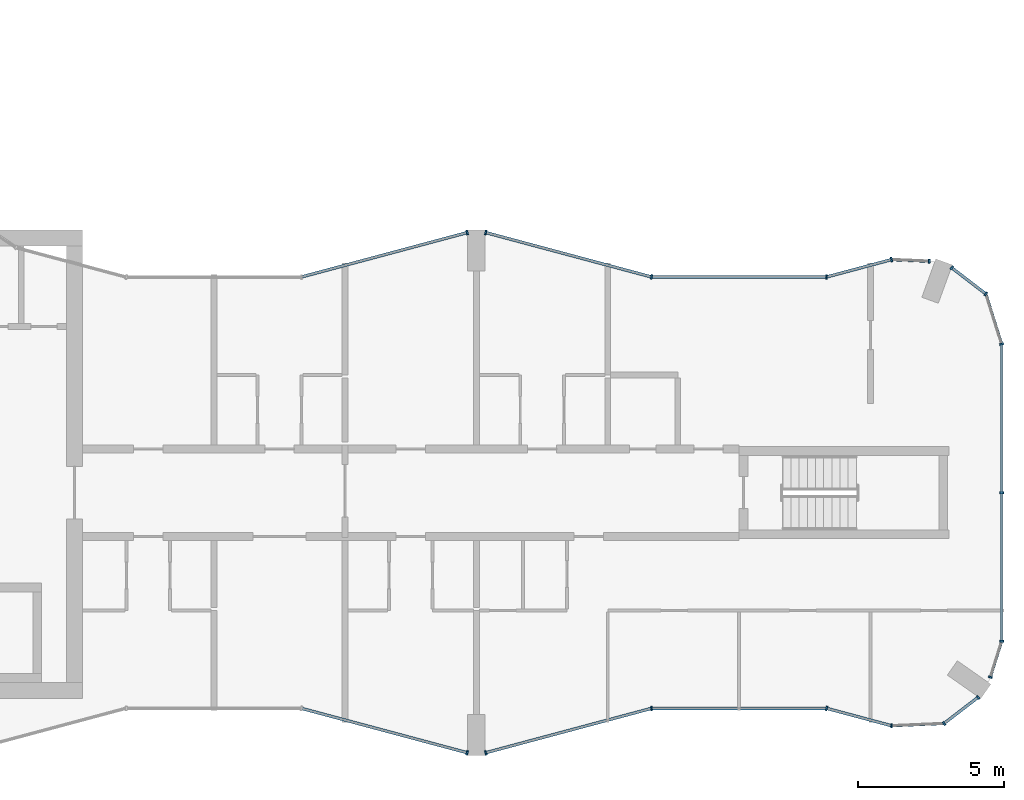
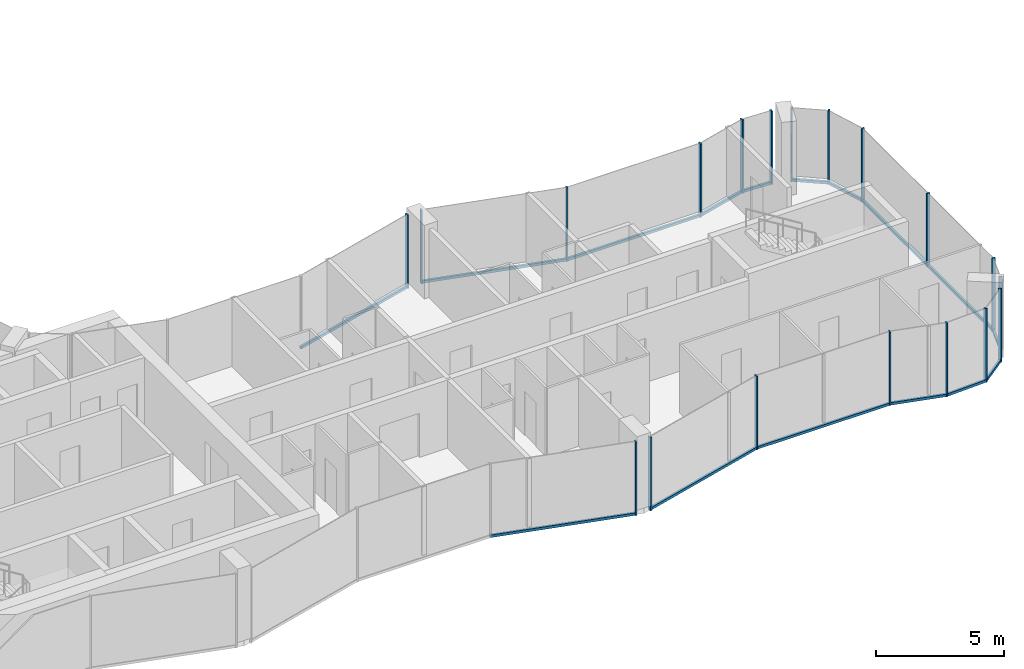
# One storey, part 6 of 15: 34 members, 15 elements without a shape of their own.
"""IFC4 building model written with IfcOpenShell, lengths in metres."""

from ifc_helpers import new_model, si_unit, direction, frame, origin, origin_2d, place, context, subcontext, project, spatial, rectangle, extrude, material, layer, layer_set, material_profile, profile_set, type_object, element, aggregate, save


model = new_model("IFC4")

# Units and contexts
model_context = context("Model", 3, precision=1e-05, world=origin(), true_north=direction((0.0, 1.0)))
body_context = subcontext(model_context, "Body", "Model", "MODEL_VIEW")
ifc_project = project(units=[si_unit("LENGTHUNIT", "METRE"), si_unit("AREAUNIT", "SQUARE_METRE"), si_unit("VOLUMEUNIT", "CUBIC_METRE"), si_unit("PLANEANGLEUNIT", "RADIAN"), si_unit("MASSUNIT", "GRAM", prefix="KILO")], contexts=[model_context])

# Site, building, storey
site_placement = place(None, origin())
site = spatial("IfcSite", under=ifc_project, at=site_placement, CompositionType="ELEMENT")
building_placement = place(site_placement, origin())
building = spatial("IfcBuilding", under=site, at=building_placement, Name="Plateau Cross Towers", CompositionType="ELEMENT")
storey_placement = place(building_placement, frame((0.0, 0.0, 197.89990234375)))
storey = spatial("IfcBuildingStorey", under=building, at=storey_placement, Name="L51", CompositionType="ELEMENT", Elevation=197.89990234375)

# Curtain wall, member
ifc_material_1 = material(Name="Dark low-iron glass", Category="glass")
ifc_layer_1 = layer(ifc_material_1, 0.239990234375)
ifc_layer_set_1 = layer_set([ifc_layer_1], Name="Dark low-iron glass")
curtain_wall_type_1 = type_object("IfcCurtainWallType", Name="Curtain wall flush unitised CW-B", PredefinedType="NOTDEFINED", material=ifc_layer_set_1)
curtain_wall_1_placement = place(storey_placement, origin())
curtain_wall_1 = element("IfcCurtainWall", 1, at=curtain_wall_1_placement, inside=storey, type_object=curtain_wall_type_1, Name="ENV/A/L51/A502_10", PredefinedType="NOTDEFINED")
ifc_material_2 = material(Name="Black anodised aluminium", Category="aluminium")
ifc_material_profile_1 = material_profile(ifc_material_2, rectangle(XDim=0.06005859375, YDim=0.139892578125, at=origin_2d()), Name="MULLION 60x140")
ifc_profile_set_1 = profile_set([ifc_material_profile_1], Name="Black anodised aluminium")
member_type_1 = type_object("IfcMemberType", Name="Mullion 60x140 flush unitised", PredefinedType="MULLION", material=ifc_profile_set_1)
member_1_placement = place(storey_placement, frame((50.223876953125, 1.01123046875, -0.25), z_axis=(0.0, 0.0, 1.0), x_axis=(0.999043701491, 0.043722791671, 0.0)))
member_1 = element("IfcMember", 2, at=member_1_placement, type_object=member_type_1, Name="CW-B mullion 1", PredefinedType="MULLION", context=body_context, shape_type="SweptSolid", body=[
    extrude(rectangle(XDim=0.06005859375, YDim=0.139892578125, at=origin_2d()), origin(), (0.0, 0.0, 1.0), 3.5),
])

# Curtain wall, members
curtain_wall_2_placement = place(storey_placement, origin())
curtain_wall_2 = element("IfcCurtainWall", 3, at=curtain_wall_2_placement, inside=storey, type_object=curtain_wall_type_1, Name="ENV/A/L51/A520_11", PredefinedType="NOTDEFINED")
member_2_placement = place(storey_placement, frame((52.0263671875, 1.090087890625, -0.25), z_axis=(0.0, 0.0, 1.0), x_axis=(0.793315514529, 0.608810721331, 0.0)))
member_2 = element("IfcMember", 4, at=member_2_placement, type_object=member_type_1, Name="CW-B mullion 1", PredefinedType="MULLION", context=body_context, shape_type="SweptSolid", body=[
    extrude(rectangle(XDim=0.06005859375, YDim=0.139892578125, at=origin_2d()), origin(), (0.0, 0.0, 1.0), 3.5),
])
member_3_placement = place(storey_placement, frame((53.193603515625, 1.986083984375, -0.25), z_axis=(0.0, 0.0, 1.0), x_axis=(0.793315514529, 0.608810721331, 0.0)))
member_3 = element("IfcMember", 5, at=member_3_placement, type_object=member_type_1, Name="CW-B mullion 2", PredefinedType="MULLION", context=body_context, shape_type="SweptSolid", body=[
    extrude(rectangle(XDim=0.06005859375, YDim=0.139892578125, at=origin_2d()), origin(), (0.0, 0.0, 1.0), 3.5),
])

# Curtain wall, member
curtain_wall_3_placement = place(storey_placement, origin())
curtain_wall_3 = element("IfcCurtainWall", 6, at=curtain_wall_3_placement, inside=storey, type_object=curtain_wall_type_1, Name="ENV/A/L51/A536_27", PredefinedType="NOTDEFINED")
member_4_placement = place(storey_placement, frame((53.611083984375, 2.67529296875, -0.25), z_axis=(0.0, 0.0, 1.0), x_axis=(0.300686174994, 0.95372313811, 0.0)))
member_4 = element("IfcMember", 7, at=member_4_placement, type_object=member_type_1, Name="CW-B mullion 1", PredefinedType="MULLION", context=body_context, shape_type="SweptSolid", body=[
    extrude(rectangle(XDim=0.06005859375, YDim=0.139892578125, at=origin_2d()), origin(), (0.0, 0.0, 1.0), 3.5),
])

# Curtain wall, members
curtain_wall_4_placement = place(storey_placement, origin())
curtain_wall_4 = element("IfcCurtainWall", 8, at=curtain_wall_4_placement, inside=storey, type_object=curtain_wall_type_1, Name="ENV/A/L51/A540_39", PredefinedType="NOTDEFINED")
member_5_placement = place(storey_placement, frame((54.0, 3.9091796875, -0.25), z_axis=(0.0, 0.0, 1.0), x_axis=(0.0, 1.0, 0.0)))
member_5 = element("IfcMember", 9, at=member_5_placement, type_object=member_type_1, Name="CW-B mullion 1", PredefinedType="MULLION", context=body_context, shape_type="SweptSolid", body=[
    extrude(rectangle(XDim=0.06005859375, YDim=0.139892578125, at=origin_2d()), origin(), (0.0, 0.0, 1.0), 3.5),
])
member_6_placement = place(storey_placement, frame((54.0, 9.0, -0.25), z_axis=(0.0, 0.0, 1.0), x_axis=(0.0, 1.0, 0.0)))
member_6 = element("IfcMember", 10, at=member_6_placement, type_object=member_type_1, Name="CW-B mullion 2", PredefinedType="MULLION", context=body_context, shape_type="SweptSolid", body=[
    extrude(rectangle(XDim=0.06005859375, YDim=0.139892578125, at=origin_2d()), origin(), (0.0, 0.0, 1.0), 3.5),
])

# Curtain wall, member
curtain_wall_5_placement = place(storey_placement, origin())
curtain_wall_5 = element("IfcCurtainWall", 11, at=curtain_wall_5_placement, inside=storey, type_object=curtain_wall_type_1, Name="ENV/A/L51/A540_141", PredefinedType="NOTDEFINED")
member_7_placement = place(storey_placement, frame((54.0, 14.0908203125, -0.25), z_axis=(0.0, 0.0, 1.0), x_axis=(-0.300686174994, 0.95372313811, 0.0)))
member_7 = element("IfcMember", 12, at=member_7_placement, type_object=member_type_1, Name="CW-B mullion 1", PredefinedType="MULLION", context=body_context, shape_type="SweptSolid", body=[
    extrude(rectangle(XDim=0.06005859375, YDim=0.139892578125, at=origin_2d()), origin(), (0.0, 0.0, 1.0), 3.5),
])

# Curtain wall, members
curtain_wall_6_placement = place(storey_placement, origin())
curtain_wall_6 = element("IfcCurtainWall", 13, at=curtain_wall_6_placement, inside=storey, type_object=curtain_wall_type_1, Name="ENV/A/L51/A535_158", PredefinedType="NOTDEFINED")
member_8_placement = place(storey_placement, frame((53.45751953125, 15.8115234375, -0.25), z_axis=(0.0, 0.0, 1.0), x_axis=(-0.793315514529, 0.608810721331, 0.0)))
member_8 = element("IfcMember", 14, at=member_8_placement, type_object=member_type_1, Name="CW-B mullion 1", PredefinedType="MULLION", context=body_context, shape_type="SweptSolid", body=[
    extrude(rectangle(XDim=0.06005859375, YDim=0.139892578125, at=origin_2d()), origin(), (0.0, 0.0, 1.0), 3.5),
])
member_9_placement = place(storey_placement, frame((52.290283203125, 16.707275390625, -0.25), z_axis=(0.0, 0.0, 1.0), x_axis=(-0.793315514529, 0.608810721331, 0.0)))
member_9 = element("IfcMember", 15, at=member_9_placement, type_object=member_type_1, Name="CW-B mullion 2", PredefinedType="MULLION", context=body_context, shape_type="SweptSolid", body=[
    extrude(rectangle(XDim=0.06005859375, YDim=0.139892578125, at=origin_2d()), origin(), (0.0, 0.0, 1.0), 3.5),
])

# Curtain wall, member
curtain_wall_7_placement = place(storey_placement, origin())
curtain_wall_7 = element("IfcCurtainWall", 16, at=curtain_wall_7_placement, inside=storey, type_object=curtain_wall_type_1, Name="ENV/A/L51/A515_169", PredefinedType="NOTDEFINED")
member_10_placement = place(storey_placement, frame((51.516357421875, 16.93212890625, -0.25), z_axis=(0.0, 0.0, 1.0), x_axis=(-0.999043701491, 0.043722791671, 0.0)))
member_10 = element("IfcMember", 17, at=member_10_placement, type_object=member_type_1, Name="CW-B mullion 1", PredefinedType="MULLION", context=body_context, shape_type="SweptSolid", body=[
    extrude(rectangle(XDim=0.06005859375, YDim=0.139892578125, at=origin_2d()), origin(), (0.0, 0.0, 1.0), 3.5),
])

ifc_layer_2 = layer(ifc_material_1, 0.260009765625)
ifc_layer_set_2 = layer_set([ifc_layer_2], Name="Dark low-iron glass")
curtain_wall_type_2 = type_object("IfcCurtainWallType", Name="Curtain wall fluted unitised CW-A", PredefinedType="NOTDEFINED", material=ifc_layer_set_2)
curtain_wall_8_placement = place(storey_placement, origin())
curtain_wall_8 = element("IfcCurtainWall", 18, at=curtain_wall_8_placement, inside=storey, type_object=curtain_wall_type_2, Name="ENV/A/L51/A300_16", PredefinedType="NOTDEFINED")
ifc_material_profile_2 = material_profile(ifc_material_2, rectangle(XDim=0.06005859375, YDim=0.159912109375, at=origin_2d()), Name="MULLION 60x160")
ifc_profile_set_2 = profile_set([ifc_material_profile_2], Name="Black anodised aluminium")
member_type_2 = type_object("IfcMemberType", Name="Mullion 60x160 fluted unitised", PredefinedType="MULLION", material=ifc_profile_set_2)
member_11_placement = place(storey_placement, frame((35.68212890625, 0.085205078125, -0.25), z_axis=(0.0, 0.0, 1.0), x_axis=(0.965957983404, -0.258699003279, 0.0)))
member_11 = element("IfcMember", 19, at=member_11_placement, type_object=member_type_2, Name="CW-A mullion 2", PredefinedType="MULLION", context=body_context, shape_type="SweptSolid", body=[
    extrude(rectangle(XDim=0.06005859375, YDim=0.159912109375, at=origin_2d()), origin(), (0.0, 0.0, 1.0), 3.5),
])

curtain_wall_9_placement = place(storey_placement, origin())
curtain_wall_9 = element("IfcCurtainWall", 20, at=curtain_wall_9_placement, inside=storey, type_object=curtain_wall_type_2, Name="ENV/A/L51/A363_1", PredefinedType="NOTDEFINED")
member_12_placement = place(storey_placement, frame((36.31787109375, 0.085205078125, -0.25), z_axis=(0.0, 0.0, 1.0), x_axis=(0.965957983404, 0.258699003279, 0.0)))
member_12 = element("IfcMember", 21, at=member_12_placement, type_object=member_type_2, Name="CW-A mullion 1", PredefinedType="MULLION", context=body_context, shape_type="SweptSolid", body=[
    extrude(rectangle(XDim=0.06005859375, YDim=0.159912109375, at=origin_2d()), origin(), (0.0, 0.0, 1.0), 3.5),
])

curtain_wall_10_placement = place(storey_placement, origin())
curtain_wall_10 = element("IfcCurtainWall", 22, at=curtain_wall_10_placement, inside=storey, type_object=curtain_wall_type_2, Name="ENV/A/L51/A420_16", PredefinedType="NOTDEFINED")
member_13_placement = place(storey_placement, frame((42.0, 1.60693359375, -0.25), z_axis=(0.0, 0.0, 1.0), x_axis=(1.0, 0.0, 0.0)))
member_13 = element("IfcMember", 23, at=member_13_placement, type_object=member_type_2, Name="CW-A mullion 1", PredefinedType="MULLION", context=body_context, shape_type="SweptSolid", body=[
    extrude(rectangle(XDim=0.06005859375, YDim=0.159912109375, at=origin_2d()), origin(), (0.0, 0.0, 1.0), 3.5),
])

curtain_wall_11_placement = place(storey_placement, origin())
curtain_wall_11 = element("IfcCurtainWall", 24, at=curtain_wall_11_placement, inside=storey, type_object=curtain_wall_type_2, Name="ENV/A/L51/A480_16", PredefinedType="NOTDEFINED")
member_14_placement = place(storey_placement, frame((48.0, 1.60693359375, -0.25), z_axis=(0.0, 0.0, 1.0), x_axis=(0.965957962328, -0.258699081978, 0.0)))
member_14 = element("IfcMember", 25, at=member_14_placement, type_object=member_type_2, Name="CW-A mullion 1", PredefinedType="MULLION", context=body_context, shape_type="SweptSolid", body=[
    extrude(rectangle(XDim=0.06005859375, YDim=0.159912109375, at=origin_2d()), origin(), (0.0, 0.0, 1.0), 3.5),
])

curtain_wall_12_placement = place(storey_placement, origin())
curtain_wall_12 = element("IfcCurtainWall", 26, at=curtain_wall_12_placement, inside=storey, type_object=curtain_wall_type_2, Name="ENV/A/L51/A502_170", PredefinedType="NOTDEFINED")
member_15_placement = place(storey_placement, frame((50.223876953125, 16.98876953125, -0.25), z_axis=(0.0, 0.0, 1.0), x_axis=(-0.965957962328, -0.258699081978, 0.0)))
member_15 = element("IfcMember", 27, at=member_15_placement, type_object=member_type_2, Name="CW-A mullion 1", PredefinedType="MULLION", context=body_context, shape_type="SweptSolid", body=[
    extrude(rectangle(XDim=0.06005859375, YDim=0.159912109375, at=origin_2d()), origin(), (0.0, 0.0, 1.0), 3.5),
])

curtain_wall_13_placement = place(storey_placement, origin())
curtain_wall_13 = element("IfcCurtainWall", 28, at=curtain_wall_13_placement, inside=storey, type_object=curtain_wall_type_2, Name="ENV/A/L51/A480_164", PredefinedType="NOTDEFINED")
member_16_placement = place(storey_placement, frame((48.0, 16.39306640625, -0.25), z_axis=(0.0, 0.0, 1.0), x_axis=(-1.0, 0.0, 0.0)))
member_16 = element("IfcMember", 29, at=member_16_placement, type_object=member_type_2, Name="CW-A mullion 1", PredefinedType="MULLION", context=body_context, shape_type="SweptSolid", body=[
    extrude(rectangle(XDim=0.06005859375, YDim=0.159912109375, at=origin_2d()), origin(), (0.0, 0.0, 1.0), 3.5),
])

# Curtain wall, members
curtain_wall_14_placement = place(storey_placement, origin())
curtain_wall_14 = element("IfcCurtainWall", 30, at=curtain_wall_14_placement, inside=storey, type_object=curtain_wall_type_2, Name="ENV/A/L51/A420_164", PredefinedType="NOTDEFINED")
member_17_placement = place(storey_placement, frame((42.0, 16.39306640625, -0.25), z_axis=(0.0, 0.0, 1.0), x_axis=(-0.965957983404, 0.258699003279, 0.0)))
member_17 = element("IfcMember", 31, at=member_17_placement, type_object=member_type_2, Name="CW-A mullion 1", PredefinedType="MULLION", context=body_context, shape_type="SweptSolid", body=[
    extrude(rectangle(XDim=0.06005859375, YDim=0.159912109375, at=origin_2d()), origin(), (0.0, 0.0, 1.0), 3.5),
])
member_18_placement = place(storey_placement, frame((36.31787109375, 17.914794921875, -0.25), z_axis=(0.0, 0.0, 1.0), x_axis=(-0.965957983404, 0.258699003279, 0.0)))
member_18 = element("IfcMember", 32, at=member_18_placement, type_object=member_type_2, Name="CW-A mullion 2", PredefinedType="MULLION", context=body_context, shape_type="SweptSolid", body=[
    extrude(rectangle(XDim=0.06005859375, YDim=0.159912109375, at=origin_2d()), origin(), (0.0, 0.0, 1.0), 3.5),
])

# Curtain wall, member
curtain_wall_15_placement = place(storey_placement, origin())
curtain_wall_15 = element("IfcCurtainWall", 33, at=curtain_wall_15_placement, inside=storey, type_object=curtain_wall_type_2, Name="ENV/A/L51/A357_179", PredefinedType="NOTDEFINED")
member_19_placement = place(storey_placement, frame((35.68212890625, 17.914794921875, -0.25), z_axis=(0.0, 0.0, 1.0), x_axis=(-0.965957983404, -0.258699003279, 0.0)))
member_19 = element("IfcMember", 34, at=member_19_placement, type_object=member_type_2, Name="CW-A mullion 1", PredefinedType="MULLION", context=body_context, shape_type="SweptSolid", body=[
    extrude(rectangle(XDim=0.06005859375, YDim=0.159912109375, at=origin_2d()), origin(), (0.0, 0.0, 1.0), 3.5),
])

# Member
ifc_material_profile_3 = material_profile(ifc_material_2, rectangle(XDim=0.10009765625, YDim=0.1201171875, at=origin_2d()), Name="TRANSOM 100x120")
ifc_profile_set_3 = profile_set([ifc_material_profile_3], Name="Black anodised aluminium")
member_type_3 = type_object("IfcMemberType", Name="Transom 100x120 flush unitised", PredefinedType="USERDEFINED", material=ifc_profile_set_3)
member_20_placement = place(storey_placement, frame((50.223876953125, 1.01123046875, -0.18994140625), z_axis=(0.999044377355, 0.043707345779, 0.0), x_axis=(-0.043707345779, 0.999044377355, 0.0)))
member_20 = element("IfcMember", 35, at=member_20_placement, type_object=member_type_3, Name="CW-B transom", ObjectType="TRANSOM", PredefinedType="USERDEFINED", context=body_context, shape_type="SweptSolid", body=[
    extrude(rectangle(XDim=0.10009765625, YDim=0.1201171875, at=origin_2d()), origin(), (0.0, 0.0, 1.0), 1.80419921875),
])

aggregate(curtain_wall_1, [member_1, member_20])

member_21_placement = place(storey_placement, frame((52.0263671875, 1.090087890625, -0.18994140625), z_axis=(0.793240368515, 0.608908628415, 0.0), x_axis=(-0.608908628415, 0.793240368515, 0.0)))
member_21 = element("IfcMember", 36, at=member_21_placement, type_object=member_type_3, Name="CW-B transom", ObjectType="TRANSOM", PredefinedType="USERDEFINED", context=body_context, shape_type="SweptSolid", body=[
    extrude(rectangle(XDim=0.10009765625, YDim=0.1201171875, at=origin_2d()), origin(), (0.0, 0.0, 1.0), 1.471435546875),
])

aggregate(curtain_wall_2, [member_2, member_3, member_21])

member_22_placement = place(storey_placement, frame((53.611083984375, 2.67529296875, -0.18994140625), z_axis=(0.300616528216, 0.953745093284, 0.0), x_axis=(-0.953745093284, 0.300616528216, 0.0)))
member_22 = element("IfcMember", 37, at=member_22_placement, type_object=member_type_3, Name="CW-B transom", ObjectType="TRANSOM", PredefinedType="USERDEFINED", context=body_context, shape_type="SweptSolid", body=[
    extrude(rectangle(XDim=0.10009765625, YDim=0.1201171875, at=origin_2d()), origin(), (0.0, 0.0, 1.0), 1.293701171875),
])

aggregate(curtain_wall_3, [member_4, member_22])

member_23_placement = place(storey_placement, frame((54.0, 3.9091796875, -0.18994140625), z_axis=(0.0, 1.0, 0.0), x_axis=(-1.0, 0.0, 0.0)))
member_23 = element("IfcMember", 38, at=member_23_placement, type_object=member_type_3, Name="CW-B transom", ObjectType="TRANSOM", PredefinedType="USERDEFINED", context=body_context, shape_type="SweptSolid", body=[
    extrude(rectangle(XDim=0.10009765625, YDim=0.1201171875, at=origin_2d()), origin(), (0.0, 0.0, 1.0), 10.181640625),
])

aggregate(curtain_wall_4, [member_5, member_6, member_23])

member_24_placement = place(storey_placement, frame((54.0, 14.0908203125, -0.18994140625), z_axis=(-0.30067799945, 0.953725715626, 0.0), x_axis=(-0.953725715626, -0.30067799945, 0.0)))
member_24 = element("IfcMember", 39, at=member_24_placement, type_object=member_type_3, Name="CW-B transom", ObjectType="TRANSOM", PredefinedType="USERDEFINED", context=body_context, shape_type="SweptSolid", body=[
    extrude(rectangle(XDim=0.10009765625, YDim=0.1201171875, at=origin_2d()), origin(), (0.0, 0.0, 1.0), 1.80419921875),
])

aggregate(curtain_wall_5, [member_7, member_24])

member_25_placement = place(storey_placement, frame((53.45751953125, 15.8115234375, -0.18994140625), z_axis=(-0.793320508571, 0.608804213751, 0.0), x_axis=(-0.608804213751, -0.793320508571, 0.0)))
member_25 = element("IfcMember", 40, at=member_25_placement, type_object=member_type_3, Name="CW-B transom", ObjectType="TRANSOM", PredefinedType="USERDEFINED", context=body_context, shape_type="SweptSolid", body=[
    extrude(rectangle(XDim=0.10009765625, YDim=0.1201171875, at=origin_2d()), origin(), (0.0, 0.0, 1.0), 1.471435546875),
])

aggregate(curtain_wall_6, [member_8, member_9, member_25])

member_26_placement = place(storey_placement, frame((51.516357421875, 16.93212890625, -0.18994140625), z_axis=(-0.999041144614, 0.043781175963, 0.0), x_axis=(-0.043781175963, -0.999041144614, 0.0)))
member_26 = element("IfcMember", 41, at=member_26_placement, type_object=member_type_3, Name="CW-B transom", ObjectType="TRANSOM", PredefinedType="USERDEFINED", context=body_context, shape_type="SweptSolid", body=[
    extrude(rectangle(XDim=0.10009765625, YDim=0.1201171875, at=origin_2d()), origin(), (0.0, 0.0, 1.0), 1.293701171875),
])

aggregate(curtain_wall_7, [member_10, member_26])

ifc_material_profile_4 = material_profile(ifc_material_2, rectangle(XDim=0.10009765625, YDim=0.1201171875, at=origin_2d()), Name="TRANSOM 100x120")
ifc_profile_set_4 = profile_set([ifc_material_profile_4], Name="Black anodised aluminium")
member_type_4 = type_object("IfcMemberType", Name="Transom 100x120 fluted unitised", PredefinedType="USERDEFINED", material=ifc_profile_set_4)
member_27_placement = place(storey_placement, frame((30.0, 1.60693359375, -0.18994140625), z_axis=(0.965959534794, -0.258693210465, 0.0), x_axis=(0.258693210465, 0.965959534794, 0.0)))
member_27 = element("IfcMember", 42, at=member_27_placement, type_object=member_type_4, Name="CW-A transom", ObjectType="TRANSOM", PredefinedType="USERDEFINED", context=body_context, shape_type="SweptSolid", body=[
    extrude(rectangle(XDim=0.10009765625, YDim=0.1201171875, at=origin_2d()), origin(), (0.0, 0.0, 1.0), 5.88232421875),
])

aggregate(curtain_wall_8, [member_11, member_27])

member_28_placement = place(storey_placement, frame((36.31787109375, 0.085205078125, -0.18994140625), z_axis=(0.965959534794, 0.258693210465, 0.0), x_axis=(-0.258693210465, 0.965959534794, 0.0)))
member_28 = element("IfcMember", 43, at=member_28_placement, type_object=member_type_4, Name="CW-A transom", ObjectType="TRANSOM", PredefinedType="USERDEFINED", context=body_context, shape_type="SweptSolid", body=[
    extrude(rectangle(XDim=0.10009765625, YDim=0.1201171875, at=origin_2d()), origin(), (0.0, 0.0, 1.0), 5.88232421875),
])

aggregate(curtain_wall_9, [member_12, member_28])

member_29_placement = place(storey_placement, frame((42.0, 1.60693359375, -0.18994140625), z_axis=(1.0, 0.0, 0.0), x_axis=(0.0, 1.0, 0.0)))
member_29 = element("IfcMember", 44, at=member_29_placement, type_object=member_type_4, Name="CW-A transom", ObjectType="TRANSOM", PredefinedType="USERDEFINED", context=body_context, shape_type="SweptSolid", body=[
    extrude(rectangle(XDim=0.10009765625, YDim=0.1201171875, at=origin_2d()), origin(), (0.0, 0.0, 1.0), 6.0),
])

aggregate(curtain_wall_10, [member_13, member_29])

member_30_placement = place(storey_placement, frame((48.0, 1.60693359375, -0.18994140625), z_axis=(0.965945685136, -0.258744919501, 0.0), x_axis=(0.258744919501, 0.965945685136, 0.0)))
member_30 = element("IfcMember", 45, at=member_30_placement, type_object=member_type_4, Name="CW-A transom", ObjectType="TRANSOM", PredefinedType="USERDEFINED", context=body_context, shape_type="SweptSolid", body=[
    extrude(rectangle(XDim=0.10009765625, YDim=0.1201171875, at=origin_2d()), origin(), (0.0, 0.0, 1.0), 2.30224609375),
])

aggregate(curtain_wall_11, [member_14, member_30])

member_31_placement = place(storey_placement, frame((50.223876953125, 16.98876953125, -0.18994140625), z_axis=(-0.965945685136, -0.258744919501, 0.0), x_axis=(0.258744919501, -0.965945685136, 0.0)))
member_31 = element("IfcMember", 46, at=member_31_placement, type_object=member_type_4, Name="CW-A transom", ObjectType="TRANSOM", PredefinedType="USERDEFINED", context=body_context, shape_type="SweptSolid", body=[
    extrude(rectangle(XDim=0.10009765625, YDim=0.1201171875, at=origin_2d()), origin(), (0.0, 0.0, 1.0), 2.30224609375),
])

aggregate(curtain_wall_12, [member_15, member_31])

member_32_placement = place(storey_placement, frame((48.0, 16.39306640625, -0.18994140625), z_axis=(-1.0, 0.0, 0.0), x_axis=(0.0, -1.0, 0.0)))
member_32 = element("IfcMember", 47, at=member_32_placement, type_object=member_type_4, Name="CW-A transom", ObjectType="TRANSOM", PredefinedType="USERDEFINED", context=body_context, shape_type="SweptSolid", body=[
    extrude(rectangle(XDim=0.10009765625, YDim=0.1201171875, at=origin_2d()), origin(), (0.0, 0.0, 1.0), 6.0),
])

aggregate(curtain_wall_13, [member_16, member_32])

member_33_placement = place(storey_placement, frame((42.0, 16.39306640625, -0.18994140625), z_axis=(-0.965959534794, 0.258693210465, 0.0), x_axis=(-0.258693210465, -0.965959534794, 0.0)))
member_33 = element("IfcMember", 48, at=member_33_placement, type_object=member_type_4, Name="CW-A transom", ObjectType="TRANSOM", PredefinedType="USERDEFINED", context=body_context, shape_type="SweptSolid", body=[
    extrude(rectangle(XDim=0.10009765625, YDim=0.1201171875, at=origin_2d()), origin(), (0.0, 0.0, 1.0), 5.88232421875),
])

aggregate(curtain_wall_14, [member_17, member_18, member_33])

member_34_placement = place(storey_placement, frame((35.68212890625, 17.914794921875, -0.18994140625), z_axis=(-0.965959534794, -0.258693210465, 0.0), x_axis=(0.258693210465, -0.965959534794, 0.0)))
member_34 = element("IfcMember", 49, at=member_34_placement, type_object=member_type_4, Name="CW-A transom", ObjectType="TRANSOM", PredefinedType="USERDEFINED", context=body_context, shape_type="SweptSolid", body=[
    extrude(rectangle(XDim=0.10009765625, YDim=0.1201171875, at=origin_2d()), origin(), (0.0, 0.0, 1.0), 5.88232421875),
])

aggregate(curtain_wall_15, [member_19, member_34])

save(model, "model.ifc")
